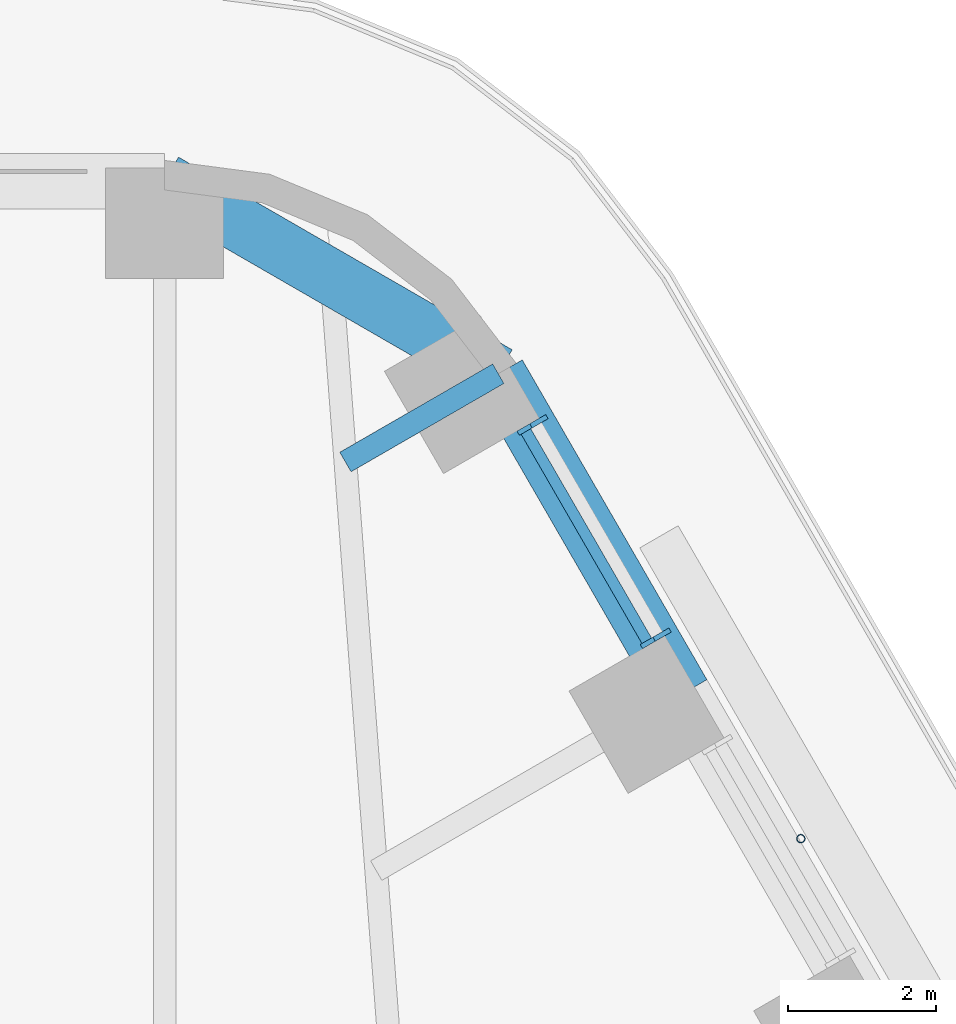
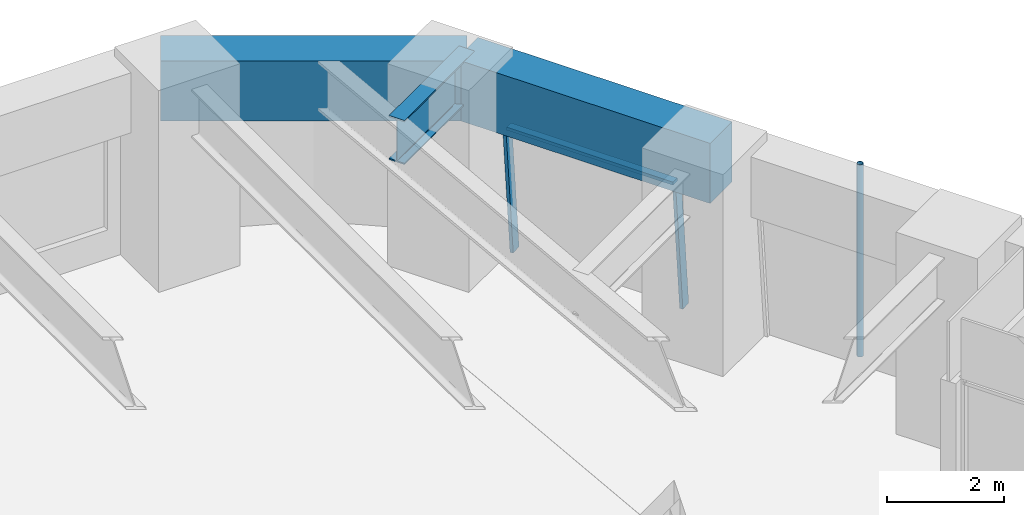
# One storey, part 13 of 24: 4 members, 3 beams, 1 element without a shape of its own.
"""IFC4 building model written with IfcOpenShell, lengths in metres."""

from ifc_helpers import new_model, si_unit, direction, frame, origin, origin_2d, place, context, subcontext, project, spatial, rectangle, hollow_circle, i_section, extrude, material, material_profile, profile_set, type_object, element, aggregate, save


model = new_model("IFC4")

# Units and contexts
model_context = context("Model", 3, precision=1e-05, world=origin(), true_north=direction((0.0, 1.0)))
body_context = subcontext(model_context, "Body", "Model", "MODEL_VIEW")
ifc_project = project(units=[si_unit("LENGTHUNIT", "METRE"), si_unit("AREAUNIT", "SQUARE_METRE"), si_unit("VOLUMEUNIT", "CUBIC_METRE"), si_unit("PLANEANGLEUNIT", "RADIAN"), si_unit("MASSUNIT", "GRAM", prefix="KILO")], contexts=[model_context])

# Site, building, storey
site_placement = place(None, origin())
site = spatial("IfcSite", under=ifc_project, at=site_placement, CompositionType="ELEMENT")
building_placement = place(site_placement, origin())
building = spatial("IfcBuilding", under=site, at=building_placement, Name="Tarfa Lantern Tower", CompositionType="ELEMENT")
storey_placement = place(building_placement, frame((0.0, 0.0, 148.89990234375)))
storey = spatial("IfcBuildingStorey", under=building, at=storey_placement, Name="L33", CompositionType="ELEMENT", Elevation=148.89990234375)

# Curtain wall, members
ifc_material_1 = material(Name="Aluminium framed curtain wall", Category="aluminium")
curtain_wall_type = type_object("IfcCurtainWallType", Name="CW2 CANTED GLAZING MID ZONE 2750", PredefinedType="USERDEFINED", material=ifc_material_1)
curtain_wall_placement = place(storey_placement, origin())
curtain_wall = element("IfcCurtainWall", 1, at=curtain_wall_placement, inside=storey, type_object=curtain_wall_type, Name="CW2 NEB L33", ObjectType="CURTAIN WALL", PredefinedType="USERDEFINED")
ifc_material_2 = material(Name="Aluminium mullion", Category="aluminium")
ifc_material_profile_1 = material_profile(ifc_material_2, rectangle(XDim=0.06494140625, YDim=0.199951171875, at=origin_2d()), Name="AL MULLION 65x200")
ifc_profile_set_1 = profile_set([ifc_material_profile_1], Name="Aluminium mullion")
member_type_1 = type_object("IfcMemberType", Name="CWM1 MULLION 65x200", PredefinedType="MULLION", material=ifc_profile_set_1)
member_1_placement = place(storey_placement, frame((21.773193359375, 25.087646484375, 0.0), z_axis=(-0.078422950161, -0.045267813396, 0.995891894715), x_axis=(0.499919672301, -0.866071776036, 0.0)))
member_1 = element("IfcMember", 2, at=member_1_placement, type_object=member_type_1, Name="CW2 mullion 1", PredefinedType="MULLION", context=body_context, shape_type="SweptSolid", body=[
    extrude(rectangle(XDim=0.06494140625, YDim=0.199951171875, at=origin_2d()), origin(), (0.0, 0.0, 1.0), 2.76123046875),
])
member_2_placement = place(storey_placement, frame((20.10400390625, 27.97900390625, 0.0), z_axis=(-0.078422950161, -0.045267813396, 0.995891894715), x_axis=(0.499919672301, -0.866071776036, 0.0)))
member_2 = element("IfcMember", 3, at=member_2_placement, type_object=member_type_1, Name="CW2 mullion 2", PredefinedType="MULLION", context=body_context, shape_type="SweptSolid", body=[
    extrude(rectangle(XDim=0.06494140625, YDim=0.199951171875, at=origin_2d()), origin(), (0.0, 0.0, 1.0), 2.76123046875),
])
ifc_material_3 = material(Name="Aluminium transom", Category="aluminium")
ifc_material_profile_2 = material_profile(ifc_material_3, rectangle(XDim=0.14990234375, YDim=0.06494140625, at=origin_2d()), Name="AL TRANSOM 150x65")
ifc_profile_set_2 = profile_set([ifc_material_profile_2], Name="Aluminium transom")
member_type_2 = type_object("IfcMemberType", Name="CWT1 TRANSOM 150x65", PredefinedType="USERDEFINED", material=ifc_profile_set_2)
member_3_placement = place(storey_placement, frame((21.54296875, 24.9921875, 2.717529296875), z_axis=(-0.499957005835, 0.866050225054, 0.0), x_axis=(-0.866050225054, -0.499957005835, 0.0)))
member_3 = element("IfcMember", 4, at=member_3_placement, type_object=member_type_2, Name="CW2 transom 1.2", ObjectType="TRANSOM", PredefinedType="USERDEFINED", context=body_context, shape_type="SweptSolid", body=[
    extrude(rectangle(XDim=0.14990234375, YDim=0.06494140625, at=origin_2d()), origin(), (0.0, 0.0, 1.0), 3.273681640625),
])
aggregate(curtain_wall, [member_1, member_2, member_3])

# Beams
ifc_material_4 = material(Name="Concrete C80/95", Category="concrete")
ifc_material_profile_3 = material_profile(ifc_material_4, rectangle(XDim=0.75, YDim=1.25, at=origin_2d()), Name="RC 750x1250")
ifc_profile_set_3 = profile_set([ifc_material_profile_3], Name="Concrete C80/95")
beam_type_1 = type_object("IfcBeamType", Name="EB2 RC 750x1250", PredefinedType="SPANDREL", material=ifc_profile_set_3)
beam_1_placement = place(storey_placement, frame((22.03369140625, 24.276611328125, 3.375), z_axis=(-0.500001197378, 0.866024712477, 0.0), x_axis=(-0.866024712477, -0.500001197378, 0.0)))
element("IfcBeam", 5, at=beam_1_placement, inside=storey, type_object=beam_type_1, Name="Edge beam NE5", PredefinedType="SPANDREL", context=body_context, shape_type="SweptSolid", body=[
    extrude(rectangle(XDim=0.75, YDim=1.25, at=origin_2d()), origin(), (0.0, 0.0, 1.0), 5.00390625),
])
beam_2_placement = place(storey_placement, frame((19.53173828125, 28.610107421875, 3.375), z_axis=(-0.86604150238, 0.499972115377, 0.0), x_axis=(-0.499972115377, -0.86604150238, 0.0)))
element("IfcBeam", 6, at=beam_2_placement, inside=storey, type_object=beam_type_1, Name="Edge beam NE6", PredefinedType="SPANDREL", context=body_context, shape_type="SweptSolid", body=[
    extrude(rectangle(XDim=0.75, YDim=1.25, at=origin_2d()), origin(), (0.0, 0.0, 1.0), 5.219970703125),
])

# Member
ifc_material_5 = material(Name="Steel S355", Category="steel")
ifc_material_profile_4 = material_profile(ifc_material_5, hollow_circle(Radius=0.05712890625, WallThickness=0.00634765625, at=origin_2d()), Name="CHS114.3x6.3")
ifc_profile_set_4 = profile_set([ifc_material_profile_4], Name="Steel S355")
member_type_3 = type_object("IfcMemberType", Name="TR1 GREEN WALL TRELLIS CHS114.3x6.3", PredefinedType="USERDEFINED", material=ifc_profile_set_4)
member_4_placement = place(storey_placement, frame((23.630859375, 22.31005859375, 0.0), z_axis=(0.0, 0.0, 1.0), x_axis=(1.0, 0.0, 0.0)))
element("IfcMember", 7, at=member_4_placement, inside=storey, type_object=member_type_3, Name="Trellis post NE 2", ObjectType="TRELLIS", PredefinedType="USERDEFINED", context=body_context, shape_type="SweptSolid", body=[
    extrude(hollow_circle(Radius=0.05712890625, WallThickness=0.00634765625, at=origin_2d()), origin(), (0.0, 0.0, 1.0), 4.0),
])

# Beam
ifc_material_6 = material(Name="Steel S460M", Category="steel")
ifc_material_profile_5 = material_profile(ifc_material_6, i_section(OverallWidth=0.305419921875, OverallDepth=0.91845703125, WebThickness=0.017333984375, FlangeThickness=0.02783203125, FilletRadius=0.01904296875, at=origin_2d()), Name="UB914x305x253")
ifc_profile_set_5 = profile_set([ifc_material_profile_5], Name="Steel S460M")
beam_type_2 = type_object("IfcBeamType", Name="UB914x305x253", PredefinedType="BEAM", material=ifc_profile_set_5)
beam_3_placement = place(storey_placement, frame((19.53173828125, 28.610107421875, 3.541015625), z_axis=(-0.865998640954, -0.500046351717, 0.0), x_axis=(0.500046351717, -0.865998640954, 0.0)))
element("IfcBeam", 8, at=beam_3_placement, inside=storey, type_object=beam_type_2, Name="Floor beam NE6", PredefinedType="BEAM", context=body_context, shape_type="SweptSolid", body=[
    extrude(i_section(OverallWidth=0.305419921875, OverallDepth=0.91845703125, WebThickness=0.017333984375, FlangeThickness=0.02783203125, FilletRadius=0.01904296875, at=origin_2d()), origin(), (0.0, 0.0, 1.0), 2.392333984375),
])

save(model, "model.ifc")
